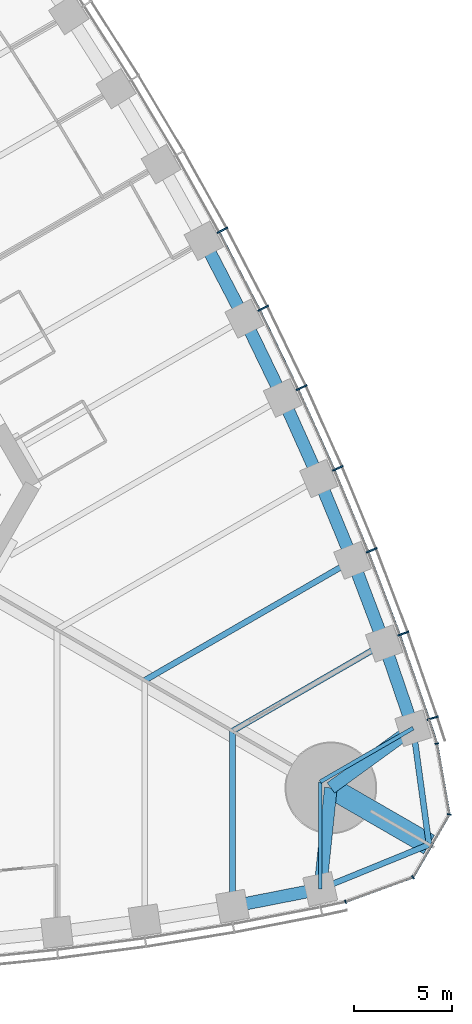
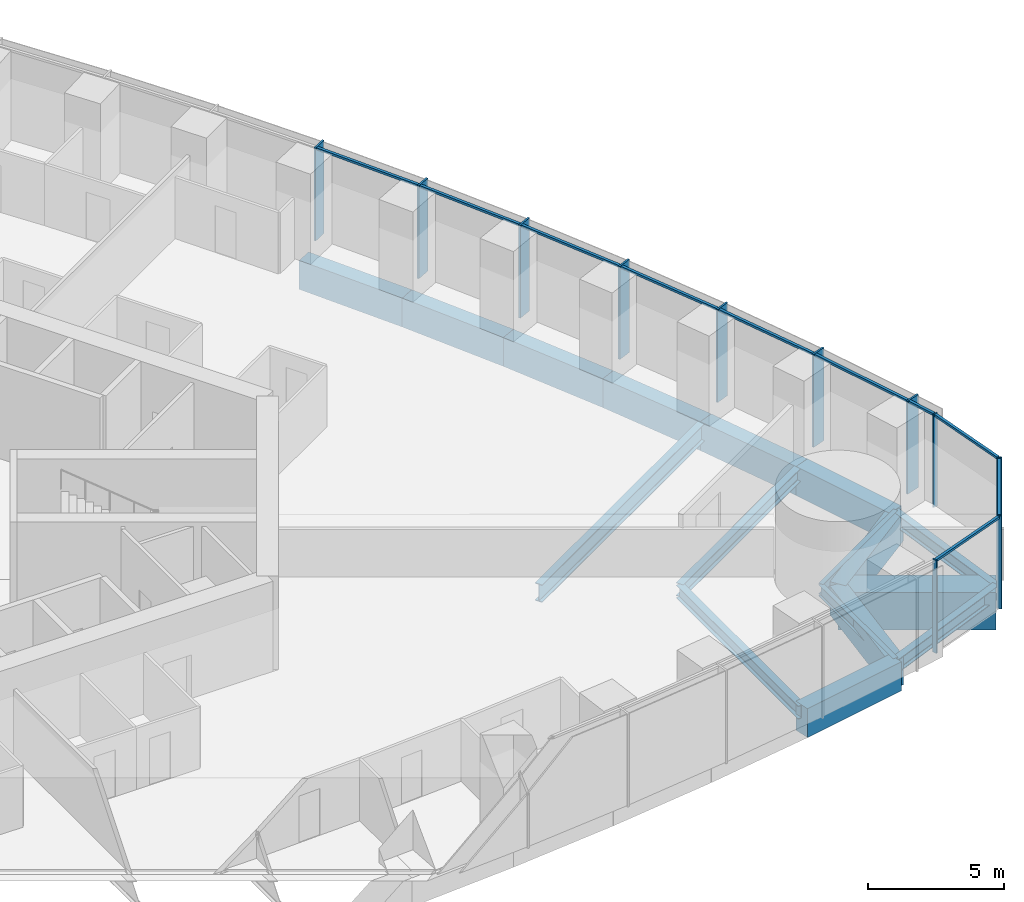
# One storey, part 6 of 18: 21 members, 17 beams, 2 elements without a shape of their own.
"""IFC4 building model written with IfcOpenShell, lengths in metres."""

from ifc_helpers import new_model, si_unit, direction, frame, origin, origin_2d, place, context, subcontext, project, spatial, rectangle, i_section, extrude, material, material_profile, profile_set, type_object, element, aggregate, save


model = new_model("IFC4")

# Units and contexts
model_context = context("Model", 3, precision=1e-05, world=origin(), true_north=direction((0.0, 1.0)))
body_context = subcontext(model_context, "Body", "Model", "MODEL_VIEW")
ifc_project = project(units=[si_unit("LENGTHUNIT", "METRE"), si_unit("AREAUNIT", "SQUARE_METRE"), si_unit("VOLUMEUNIT", "CUBIC_METRE"), si_unit("PLANEANGLEUNIT", "RADIAN"), si_unit("MASSUNIT", "GRAM", prefix="KILO")], contexts=[model_context])

# Site, building, storey
site_placement = place(None, origin())
site = spatial("IfcSite", under=ifc_project, at=site_placement, CompositionType="ELEMENT")
building_placement = place(site_placement, origin())
building = spatial("IfcBuilding", under=site, at=building_placement, Name="Trefoil Bronze Tower", CompositionType="ELEMENT")
storey_placement = place(building_placement, frame((0.0, 0.0, 37.5)))
storey = spatial("IfcBuildingStorey", under=building, at=storey_placement, Name="L08", CompositionType="ELEMENT", Elevation=37.5)

# Curtain wall, members
ifc_material_1 = material(Name="Tinted solar-control glass", Category="glass")
curtain_wall_type_1 = type_object("IfcCurtainWallType", Name="Bronze office curtain wall", PredefinedType="USERDEFINED", material=ifc_material_1)
curtain_wall_1_placement = place(storey_placement, origin())
curtain_wall_1 = element("IfcCurtainWall", 1, at=curtain_wall_1_placement, inside=storey, type_object=curtain_wall_type_1, Name="CW-A L08 F2", ObjectType="CURTAIN WALL", PredefinedType="USERDEFINED")
ifc_material_2 = material(Name="Bronze-finish aluminium", Category="aluminium")
ifc_material_profile_1 = material_profile(ifc_material_2, rectangle(XDim=0.60009765625, YDim=0.080078125, at=origin_2d()), Name="CW-A mullion")
ifc_profile_set_1 = profile_set([ifc_material_profile_1], Name="Bronze-finish aluminium")
member_type_1 = type_object("IfcMemberType", Name="Bronze office curtain wall mullion", PredefinedType="MULLION", material=ifc_profile_set_1)
member_1_placement = place(storey_placement, frame((37.265869140625, -14.92626953125, 0.0), z_axis=(0.0, 0.0, 1.0), x_axis=(-0.947850592929, -0.318715003543, 0.0)))
member_1 = element("IfcMember", 2, at=member_1_placement, type_object=member_type_1, Name="CW-A L08 F2 mullion 2", PredefinedType="MULLION", context=body_context, shape_type="SweptSolid", body=[
    extrude(rectangle(XDim=0.60009765625, YDim=0.080078125, at=origin_2d()), origin(), (0.0, 0.0, 1.0), 4.179931640625),
])
member_2_placement = place(storey_placement, frame((35.761962890625, -10.590087890625, 0.0), z_axis=(0.0, 0.0, 1.0), x_axis=(-0.939860248316, -0.341559238839, 0.0)))
member_2 = element("IfcMember", 3, at=member_2_placement, type_object=member_type_1, Name="CW-A L08 F2 mullion 3", PredefinedType="MULLION", context=body_context, shape_type="SweptSolid", body=[
    extrude(rectangle(XDim=0.60009765625, YDim=0.080078125, at=origin_2d()), origin(), (0.0, 0.0, 1.0), 4.179931640625),
])
member_3_placement = place(storey_placement, frame((34.138916015625, -6.32080078125, 0.0), z_axis=(0.0, 0.0, 1.0), x_axis=(-0.929413605838, -0.369039766534, 0.0)))
member_3 = element("IfcMember", 4, at=member_3_placement, type_object=member_type_1, Name="CW-A L08 F2 mullion 4", PredefinedType="MULLION", context=body_context, shape_type="SweptSolid", body=[
    extrude(rectangle(XDim=0.60009765625, YDim=0.080078125, at=origin_2d()), origin(), (0.0, 0.0, 1.0), 4.179931640625),
])
member_4_placement = place(storey_placement, frame((32.39892578125, -2.119384765625, 0.0), z_axis=(0.0, 0.0, 1.0), x_axis=(-0.918213748442, -0.396085233469, 0.0)))
member_4 = element("IfcMember", 5, at=member_4_placement, type_object=member_type_1, Name="CW-A L08 F2 mullion 5", PredefinedType="MULLION", context=body_context, shape_type="SweptSolid", body=[
    extrude(rectangle(XDim=0.60009765625, YDim=0.080078125, at=origin_2d()), origin(), (0.0, 0.0, 1.0), 4.179931640625),
])
member_5_placement = place(storey_placement, frame((30.543212890625, 2.015380859375, 0.0), z_axis=(0.0, 0.0, 1.0), x_axis=(-0.906269346572, -0.422700687798, 0.0)))
member_5 = element("IfcMember", 6, at=member_5_placement, type_object=member_type_1, Name="CW-A L08 F2 mullion 6", PredefinedType="MULLION", context=body_context, shape_type="SweptSolid", body=[
    extrude(rectangle(XDim=0.60009765625, YDim=0.080078125, at=origin_2d()), origin(), (0.0, 0.0, 1.0), 4.179931640625),
])
member_6_placement = place(storey_placement, frame((28.57275390625, 6.084228515625, 0.0), z_axis=(0.0, 0.0, 1.0), x_axis=(-0.893587025891, -0.448889994497, 0.0)))
member_6 = element("IfcMember", 7, at=member_6_placement, type_object=member_type_1, Name="CW-A L08 F2 mullion 7", PredefinedType="MULLION", context=body_context, shape_type="SweptSolid", body=[
    extrude(rectangle(XDim=0.60009765625, YDim=0.080078125, at=origin_2d()), origin(), (0.0, 0.0, 1.0), 4.179931640625),
])
member_7_placement = place(storey_placement, frame((26.488525390625, 10.0869140625, 0.0), z_axis=(0.0, 0.0, 1.0), x_axis=(-0.880171454588, -0.474655886437, 0.0)))
member_7 = element("IfcMember", 8, at=member_7_placement, type_object=member_type_1, Name="CW-A L08 F2 mullion 8", PredefinedType="MULLION", context=body_context, shape_type="SweptSolid", body=[
    extrude(rectangle(XDim=0.60009765625, YDim=0.080078125, at=origin_2d()), origin(), (0.0, 0.0, 1.0), 4.179931640625),
])
ifc_material_3 = material(Name="Bronze-finish aluminium", Category="aluminium")
ifc_material_profile_2 = material_profile(ifc_material_3, rectangle(XDim=0.1201171875, YDim=0.10009765625, at=origin_2d()), Name="CW-A transom")
ifc_profile_set_2 = profile_set([ifc_material_profile_2], Name="Bronze-finish aluminium")
member_type_2 = type_object("IfcMemberType", Name="Bronze office curtain wall transom", PredefinedType="USERDEFINED", material=ifc_profile_set_2)
member_8_placement = place(storey_placement, frame((37.4638671875, -16.1796875, 4.1298828125), z_axis=(-0.309624219148, 0.950859002648, 0.0), x_axis=(-0.950859002648, -0.309624219148, 0.0)))
member_8 = element("IfcMember", 9, at=member_8_placement, type_object=member_type_2, Name="CW-A L08 F2 transom 1", ObjectType="TRANSOM", PredefinedType="USERDEFINED", context=body_context, shape_type="SweptSolid", body=[
    extrude(rectangle(XDim=0.1201171875, YDim=0.10009765625, at=origin_2d()), origin(), (0.0, 0.0, 1.0), 1.21044921875),
])
member_9_placement = place(storey_placement, frame((37.06298828125, -14.951171875, 4.1298828125), z_axis=(-0.327689728493, 0.944785394595, 0.0), x_axis=(-0.944785394595, -0.327689728493, 0.0)))
member_9 = element("IfcMember", 10, at=member_9_placement, type_object=member_type_2, Name="CW-A L08 F2 transom 2", ObjectType="TRANSOM", PredefinedType="USERDEFINED", context=body_context, shape_type="SweptSolid", body=[
    extrude(rectangle(XDim=0.1201171875, YDim=0.10009765625, at=origin_2d()), origin(), (0.0, 0.0, 1.0), 4.502197265625),
])
member_10_placement = place(storey_placement, frame((35.559326171875, -10.61962890625, 4.1298828125), z_axis=(-0.355367327392, 0.934726731522, 0.0), x_axis=(-0.934726731522, -0.355367327392, 0.0)))
member_10 = element("IfcMember", 11, at=member_10_placement, type_object=member_type_2, Name="CW-A L08 F2 transom 3", ObjectType="TRANSOM", PredefinedType="USERDEFINED", context=body_context, shape_type="SweptSolid", body=[
    extrude(rectangle(XDim=0.1201171875, YDim=0.10009765625, at=origin_2d()), origin(), (0.0, 0.0, 1.0), 4.478515625),
])
member_11_placement = place(storey_placement, frame((33.937255859375, -6.3564453125, 4.1298828125), z_axis=(-0.382616149417, 0.923907399151, 0.0), x_axis=(-0.923907399151, -0.382616149417, 0.0)))
member_11 = element("IfcMember", 12, at=member_11_placement, type_object=member_type_2, Name="CW-A L08 F2 transom 4", ObjectType="TRANSOM", PredefinedType="USERDEFINED", context=body_context, shape_type="SweptSolid", body=[
    extrude(rectangle(XDim=0.1201171875, YDim=0.10009765625, at=origin_2d()), origin(), (0.0, 0.0, 1.0), 4.458984375),
])
member_12_placement = place(storey_placement, frame((32.1982421875, -2.16064453125, 4.1298828125), z_axis=(-0.409459746452, 0.912328184392, 0.0), x_axis=(-0.912328184392, -0.409459746452, 0.0)))
member_12 = element("IfcMember", 13, at=member_12_placement, type_object=member_type_2, Name="CW-A L08 F2 transom 5", ObjectType="TRANSOM", PredefinedType="USERDEFINED", context=body_context, shape_type="SweptSolid", body=[
    extrude(rectangle(XDim=0.1201171875, YDim=0.10009765625, at=origin_2d()), origin(), (0.0, 0.0, 1.0), 4.443359375),
])
member_13_placement = place(storey_placement, frame((30.34375, 1.96826171875, 4.1298828125), z_axis=(-0.435851763293, 0.900018466719, 0.0), x_axis=(-0.900018466719, -0.435851763293, 0.0)))
member_13 = element("IfcMember", 14, at=member_13_placement, type_object=member_type_2, Name="CW-A L08 F2 transom 6", ObjectType="TRANSOM", PredefinedType="USERDEFINED", context=body_context, shape_type="SweptSolid", body=[
    extrude(rectangle(XDim=0.1201171875, YDim=0.10009765625, at=origin_2d()), origin(), (0.0, 0.0, 1.0), 4.431884765625),
])
member_14_placement = place(storey_placement, frame((28.375, 6.031005859375, 4.1298828125), z_axis=(-0.461809621225, 0.886979071762, 0.0), x_axis=(-0.886979071762, -0.461809621225, 0.0)))
member_14 = element("IfcMember", 15, at=member_14_placement, type_object=member_type_2, Name="CW-A L08 F2 transom 7", ObjectType="TRANSOM", PredefinedType="USERDEFINED", context=body_context, shape_type="SweptSolid", body=[
    extrude(rectangle(XDim=0.1201171875, YDim=0.10009765625, at=origin_2d()), origin(), (0.0, 0.0, 1.0), 4.42431640625),
])
aggregate(curtain_wall_1, [member_1, member_2, member_3, member_4, member_5, member_6, member_7, member_8, member_9, member_10, member_11, member_12, member_13, member_14])

ifc_material_4 = material(Name="Tinted solar-control glass", Category="glass")
curtain_wall_type_2 = type_object("IfcCurtainWallType", Name="Bronze rounded corner curtain wall", PredefinedType="USERDEFINED", material=ifc_material_4)
curtain_wall_2_placement = place(storey_placement, origin())
curtain_wall_2 = element("IfcCurtainWall", 16, at=curtain_wall_2_placement, inside=storey, type_object=curtain_wall_type_2, Name="CW-B L08 K1", ObjectType="CURTAIN WALL", PredefinedType="USERDEFINED")
ifc_material_5 = material(Name="Bronze-finish aluminium", Category="aluminium")
ifc_material_profile_3 = material_profile(ifc_material_5, rectangle(XDim=0.199951171875, YDim=0.06005859375, at=origin_2d()), Name="CW-B mullion")
ifc_profile_set_3 = profile_set([ifc_material_profile_3], Name="Bronze-finish aluminium")
member_type_3 = type_object("IfcMemberType", Name="Bronze rounded corner curtain wall mullion", PredefinedType="MULLION", material=ifc_profile_set_3)
member_15_placement = place(storey_placement, frame((32.796630859375, -24.3427734375, 0.0), z_axis=(0.0, 0.0, 1.0), x_axis=(-0.342020143326, 0.939692620786, 0.0)))
member_15 = element("IfcMember", 17, at=member_15_placement, type_object=member_type_3, Name="CW-B L08 K1 mullion 1", PredefinedType="MULLION", context=body_context, shape_type="SweptSolid", body=[
    extrude(rectangle(XDim=0.199951171875, YDim=0.06005859375, at=origin_2d()), origin(), (0.0, 0.0, 1.0), 4.179931640625),
])
member_16_placement = place(storey_placement, frame((36.2548828125, -23.07763671875, 0.0), z_axis=(0.0, 0.0, 1.0), x_axis=(-0.642787609687, 0.766044443119, 0.0)))
member_16 = element("IfcMember", 18, at=member_16_placement, type_object=member_type_3, Name="CW-B L08 K1 mullion 2", PredefinedType="MULLION", context=body_context, shape_type="SweptSolid", body=[
    extrude(rectangle(XDim=0.199951171875, YDim=0.06005859375, at=origin_2d()), origin(), (0.0, 0.0, 1.0), 4.179931640625),
])
member_17_placement = place(storey_placement, frame((38.11328125, -19.85888671875, 0.0), z_axis=(0.0, 0.0, 1.0), x_axis=(-0.984807753012, 0.173648177667, 0.0)))
member_17 = element("IfcMember", 19, at=member_17_placement, type_object=member_type_3, Name="CW-B L08 K1 mullion 3", PredefinedType="MULLION", context=body_context, shape_type="SweptSolid", body=[
    extrude(rectangle(XDim=0.199951171875, YDim=0.06005859375, at=origin_2d()), origin(), (0.0, 0.0, 1.0), 4.179931640625),
])
member_18_placement = place(storey_placement, frame((37.479736328125, -16.2314453125, 0.0), z_axis=(0.0, 0.0, 1.0), x_axis=(-0.984807753012, -0.173648177667, 0.0)))
member_18 = element("IfcMember", 20, at=member_18_placement, type_object=member_type_3, Name="CW-B L08 K1 mullion 4", PredefinedType="MULLION", context=body_context, shape_type="SweptSolid", body=[
    extrude(rectangle(XDim=0.199951171875, YDim=0.06005859375, at=origin_2d()), origin(), (0.0, 0.0, 1.0), 4.179931640625),
])
ifc_material_6 = material(Name="Bronze-finish aluminium", Category="aluminium")
ifc_material_profile_4 = material_profile(ifc_material_6, rectangle(XDim=0.1201171875, YDim=0.10009765625, at=origin_2d()), Name="CW-B transom")
ifc_profile_set_4 = profile_set([ifc_material_profile_4], Name="Bronze-finish aluminium")
member_type_4 = type_object("IfcMemberType", Name="Bronze rounded corner curtain wall transom", PredefinedType="USERDEFINED", material=ifc_profile_set_4)
member_19_placement = place(storey_placement, frame((32.82470703125, -24.33251953125, 4.1298828125), z_axis=(0.939688092095, 0.342032585545, 0.0), x_axis=(-0.342032585545, 0.939688092095, 0.0)))
member_19 = element("IfcMember", 21, at=member_19_placement, type_object=member_type_4, Name="CW-B L08 K1 transom 1", ObjectType="TRANSOM", PredefinedType="USERDEFINED", context=body_context, shape_type="SweptSolid", body=[
    extrude(rectangle(XDim=0.1201171875, YDim=0.10009765625, at=origin_2d()), origin(), (0.0, 0.0, 1.0), 3.588134765625),
])
member_20_placement = place(storey_placement, frame((36.292236328125, -23.02490234375, 4.1298828125), z_axis=(0.500024788772, 0.866011091507, 0.0), x_axis=(-0.866011091507, 0.500024788772, 0.0)))
member_20 = element("IfcMember", 22, at=member_20_placement, type_object=member_type_4, Name="CW-B L08 K1 transom 2", ObjectType="TRANSOM", PredefinedType="USERDEFINED", context=body_context, shape_type="SweptSolid", body=[
    extrude(rectangle(XDim=0.1201171875, YDim=0.10009765625, at=origin_2d()), origin(), (0.0, 0.0, 1.0), 3.588134765625),
])
member_21_placement = place(storey_placement, frame((38.10791015625, -19.794677734375, 4.1298828125), z_axis=(-0.17363783606, 0.984809576461, 0.0), x_axis=(-0.984809576461, -0.17363783606, 0.0)))
member_21 = element("IfcMember", 23, at=member_21_placement, type_object=member_type_4, Name="CW-B L08 K1 transom 3", ObjectType="TRANSOM", PredefinedType="USERDEFINED", context=body_context, shape_type="SweptSolid", body=[
    extrude(rectangle(XDim=0.1201171875, YDim=0.10009765625, at=origin_2d()), origin(), (0.0, 0.0, 1.0), 3.588134765625),
])
aggregate(curtain_wall_2, [member_15, member_16, member_17, member_18, member_19, member_20, member_21])

# Beams
ifc_material_7 = material(Name="Concrete B80", Category="concrete")
ifc_material_profile_5 = material_profile(ifc_material_7, rectangle(XDim=1.10009765625, YDim=1.699951171875, at=origin_2d()), Name="RC 1100x1700")
ifc_profile_set_5 = profile_set([ifc_material_profile_5], Name="Concrete B80")
beam_type_1 = type_object("IfcBeamType", Name="Corner cantilever RC 1100x1700", PredefinedType="BEAM", material=ifc_profile_set_5)
beam_1_placement = place(storey_placement, frame((32.04296875, -18.5, -1.050048828125), z_axis=(0.866030348588, -0.499991435252, 0.0), x_axis=(0.499991435252, 0.866030348588, 0.0)))
element("IfcBeam", 24, at=beam_1_placement, inside=storey, type_object=beam_type_1, Name="Corner cantilever K1 L08", PredefinedType="BEAM", context=body_context, shape_type="SweptSolid", body=[
    extrude(rectangle(XDim=1.10009765625, YDim=1.699951171875, at=origin_2d()), origin(), (0.0, 0.0, 1.0), 5.81396484375),
])
ifc_material_8 = material(Name="Steel C355", Category="steel")
ifc_material_profile_6 = material_profile(ifc_material_8, i_section(OverallWidth=0.300048828125, OverallDepth=0.60009765625, WebThickness=0.015380859375, FlangeThickness=0.030029296875, FilletRadius=0.027099609375, at=origin_2d()), Name="HEB 600")
ifc_profile_set_6 = profile_set([ifc_material_profile_6], Name="Steel C355")
beam_type_2 = type_object("IfcBeamType", Name="Corner edge beam HEB 600", PredefinedType="BEAM", material=ifc_profile_set_6)
beam_2_placement = place(storey_placement, frame((31.5, -23.684814453125, -0.5), z_axis=(0.925786874353, 0.378045848114, 0.0), x_axis=(-0.378045848114, 0.925786874353, 0.0)))
element("IfcBeam", 25, at=beam_2_placement, inside=storey, type_object=beam_type_2, Name="Corner edge beam F1A L08", PredefinedType="BEAM", context=body_context, shape_type="SweptSolid", body=[
    extrude(i_section(OverallWidth=0.300048828125, OverallDepth=0.60009765625, WebThickness=0.015380859375, FlangeThickness=0.030029296875, FilletRadius=0.027099609375, at=origin_2d()), origin(), (0.0, 0.0, 1.0), 6.025390625),
])
beam_3_placement = place(storey_placement, frame((36.26171875, -15.4375, -0.5), z_axis=(0.13550196505, -0.990777077585, 0.0), x_axis=(0.990777077585, 0.13550196505, 0.0)))
element("IfcBeam", 26, at=beam_3_placement, inside=storey, type_object=beam_type_2, Name="Corner edge beam F2B L08", PredefinedType="BEAM", context=body_context, shape_type="SweptSolid", body=[
    extrude(i_section(OverallWidth=0.300048828125, OverallDepth=0.60009765625, WebThickness=0.015380859375, FlangeThickness=0.030029296875, FilletRadius=0.027099609375, at=origin_2d()), origin(), (0.0, 0.0, 1.0), 6.025146484375),
])
ifc_material_9 = material(Name="Concrete B80", Category="concrete")
ifc_material_profile_7 = material_profile(ifc_material_9, rectangle(XDim=0.64990234375, YDim=1.300048828125, at=origin_2d()), Name="RC 650x1300")
ifc_profile_set_7 = profile_set([ifc_material_profile_7], Name="Concrete B80")
beam_type_3 = type_object("IfcBeamType", Name="End spandrel beam RC 650x1300", PredefinedType="SPANDREL", material=ifc_profile_set_7)
for number, where, z_axis, x_axis, name in (
    (27, (31.5, -23.684814453125, -0.85009765625), (0.104153327908, 0.994561252154, 0.0), (-0.994561252154, 0.104153327908, 0.0), "Spandrel F1.16 L08"),
    (28, (32.04296875, -18.5, -0.85009765625), (0.809254211267, 0.587458612624, 0.0), (-0.587458612624, 0.809254211267, 0.0), "Spandrel F2.1 L08"),
):
    element("IfcBeam", number, at=place(storey_placement, frame(where, z_axis=z_axis, x_axis=x_axis)), inside=storey, type_object=beam_type_3, Name=name, PredefinedType="SPANDREL", context=body_context, shape_type="SweptSolid", body=[
        extrude(rectangle(XDim=0.64990234375, YDim=1.300048828125, at=origin_2d()), origin(), (0.0, 0.0, 1.0), 5.213134765625),
    ])
ifc_material_10 = material(Name="Steel C355", Category="steel")
ifc_material_profile_8 = material_profile(ifc_material_10, i_section(OverallWidth=0.300048828125, OverallDepth=0.590087890625, WebThickness=0.012939453125, FlangeThickness=0.02490234375, FilletRadius=0.027099609375, at=origin_2d()), Name="HEA 600")
ifc_profile_set_8 = profile_set([ifc_material_profile_8], Name="Steel C355")
beam_type_4 = type_object("IfcBeamType", Name="Floor beam HEA 600", PredefinedType="BEAM", material=ifc_profile_set_8)
for number, where, z_axis, x_axis, name in (
    (29, (27.0, -24.56787109375, -0.4951171875), (0.0, 1.0, 0.0), (-1.0, 0.0, 0.0), "Floor beam F1/+6 L08"),
    (30, (34.7763671875, -11.0986328125, -0.4951171875), (-0.866022587327, -0.500004878216, 0.0), (0.500004878216, -0.866022587327, 0.0), "Floor beam F2/-6 L08"),
):
    element("IfcBeam", number, at=place(storey_placement, frame(where, z_axis=z_axis, x_axis=x_axis)), inside=storey, type_object=beam_type_4, Name=name, PredefinedType="BEAM", context=body_context, shape_type="SweptSolid", body=[
        extrude(i_section(OverallWidth=0.300048828125, OverallDepth=0.590087890625, WebThickness=0.012939453125, FlangeThickness=0.02490234375, FilletRadius=0.027099609375, at=origin_2d()), origin(), (0.0, 0.0, 1.0), 8.9794921875),
    ])
ifc_material_11 = material(Name="Steel C355", Category="steel")
ifc_material_profile_9 = material_profile(ifc_material_11, i_section(OverallWidth=0.300048828125, OverallDepth=0.800048828125, WebThickness=0.017578125, FlangeThickness=0.032958984375, FilletRadius=0.030029296875, at=origin_2d()), Name="HEB 800")
ifc_profile_set_9 = profile_set([ifc_material_profile_9], Name="Steel C355")
beam_type_5 = type_object("IfcBeamType", Name="Floor beam HEB 800", PredefinedType="BEAM", material=ifc_profile_set_9)
beam_4_placement = place(storey_placement, frame((33.159912109375, -6.8359375, -0.60009765625), z_axis=(-0.866024070878, -0.500002308654, 0.0), x_axis=(0.500002308654, -0.866024070878, 0.0)))
element("IfcBeam", 31, at=beam_4_placement, inside=storey, type_object=beam_type_5, Name="Floor beam F2/-5 L08", PredefinedType="BEAM", context=body_context, shape_type="SweptSolid", body=[
    extrude(i_section(OverallWidth=0.300048828125, OverallDepth=0.800048828125, WebThickness=0.017578125, FlangeThickness=0.032958984375, FilletRadius=0.030029296875, at=origin_2d()), origin(), (0.0, 0.0, 1.0), 12.30908203125),
])
ifc_material_12 = material(Name="Steel C355", Category="steel")
ifc_material_profile_10 = material_profile(ifc_material_12, i_section(OverallWidth=0.199951171875, OverallDepth=0.5, WebThickness=0.01025390625, FlangeThickness=0.01611328125, FilletRadius=0.02099609375, at=origin_2d()), Name="IPE 500")
ifc_profile_set_10 = profile_set([ifc_material_profile_10], Name="Steel C355")
beam_type_6 = type_object("IfcBeamType", Name="Floor beam IPE 500", PredefinedType="BEAM", material=ifc_profile_set_10)
for number, where, z_axis, x_axis, name in (
    (32, (31.5, -23.684814453125, -0.449951171875), (0.0, 1.0, 0.0), (-1.0, 0.0, 0.0), "Floor beam F1/+7 L08"),
    (33, (36.26171875, -15.4375, -0.449951171875), (-0.866037702141, -0.499978698016, 0.0), (0.499978698016, -0.866037702141, 0.0), "Floor beam F2/-7 L08"),
):
    element("IfcBeam", number, at=place(storey_placement, frame(where, z_axis=z_axis, x_axis=x_axis)), inside=storey, type_object=beam_type_6, Name=name, PredefinedType="BEAM", context=body_context, shape_type="SweptSolid", body=[
        extrude(i_section(OverallWidth=0.199951171875, OverallDepth=0.5, WebThickness=0.01025390625, FlangeThickness=0.01611328125, FilletRadius=0.02099609375, at=origin_2d()), origin(), (0.0, 0.0, 1.0), 5.498291015625),
    ])
ifc_material_13 = material(Name="Concrete B80", Category="concrete")
ifc_material_profile_11 = material_profile(ifc_material_13, rectangle(XDim=0.64990234375, YDim=1.300048828125, at=origin_2d()), Name="RC 650x1300")
ifc_profile_set_11 = profile_set([ifc_material_profile_11], Name="Concrete B80")
beam_type_7 = type_object("IfcBeamType", Name="Spandrel beam RC 650x1300", PredefinedType="SPANDREL", material=ifc_profile_set_11)
beam_5_placement = place(storey_placement, frame((27.0, -24.56787109375, -0.85009765625), z_axis=(0.981284764092, 0.192562228283, 0.0), x_axis=(-0.192562228283, 0.981284764092, 0.0)))
element("IfcBeam", 34, at=beam_5_placement, inside=storey, type_object=beam_type_7, Name="Spandrel F1.15 L08", PredefinedType="SPANDREL", context=body_context, shape_type="SweptSolid", body=[
    extrude(rectangle(XDim=0.64990234375, YDim=1.300048828125, at=origin_2d()), origin(), (0.0, 0.0, 1.0), 4.5859375),
])
beam_6_placement = place(storey_placement, frame((36.26171875, -15.4375, -0.85009765625), z_axis=(-0.323883319148, 0.946097032855, 0.0), x_axis=(-0.946097032855, -0.323883319148, 0.0)))
element("IfcBeam", 35, at=beam_6_placement, inside=storey, type_object=beam_type_7, Name="Spandrel F2.2 L08", PredefinedType="SPANDREL", context=body_context, shape_type="SweptSolid", body=[
    extrude(rectangle(XDim=0.64990234375, YDim=1.300048828125, at=origin_2d()), origin(), (0.0, 0.0, 1.0), 4.586181640625),
])
beam_7_placement = place(storey_placement, frame((34.7763671875, -11.0986328125, -0.85009765625), z_axis=(-0.354571899767, 0.935028752443, 0.0), x_axis=(-0.935028752443, -0.354571899767, 0.0)))
element("IfcBeam", 36, at=beam_7_placement, inside=storey, type_object=beam_type_7, Name="Spandrel F2.3 L08", PredefinedType="SPANDREL", context=body_context, shape_type="SweptSolid", body=[
    extrude(rectangle(XDim=0.64990234375, YDim=1.300048828125, at=origin_2d()), origin(), (0.0, 0.0, 1.0), 4.558837890625),
])
beam_8_placement = place(storey_placement, frame((33.159912109375, -6.8359375, -0.85009765625), z_axis=(-0.382020825144, 0.924153715113, 0.0), x_axis=(-0.924153715113, -0.382020825144, 0.0)))
element("IfcBeam", 37, at=beam_8_placement, inside=storey, type_object=beam_type_7, Name="Spandrel F2.4 L08", PredefinedType="SPANDREL", context=body_context, shape_type="SweptSolid", body=[
    extrude(rectangle(XDim=0.64990234375, YDim=1.300048828125, at=origin_2d()), origin(), (0.0, 0.0, 1.0), 4.539306640625),
])
beam_9_placement = place(storey_placement, frame((31.42578125, -2.640869140625, -0.85009765625), z_axis=(-0.408945873044, 0.912558640812, 0.0), x_axis=(-0.912558640812, -0.408945873044, 0.0)))
element("IfcBeam", 38, at=beam_9_placement, inside=storey, type_object=beam_type_7, Name="Spandrel F2.5 L08", PredefinedType="SPANDREL", context=body_context, shape_type="SweptSolid", body=[
    extrude(rectangle(XDim=0.64990234375, YDim=1.300048828125, at=origin_2d()), origin(), (0.0, 0.0, 1.0), 4.5234375),
])
beam_10_placement = place(storey_placement, frame((29.575927734375, 1.487060546875, -0.85009765625), z_axis=(-0.435510013583, 0.900183885697, 0.0), x_axis=(-0.900183885697, -0.435510013583, 0.0)))
element("IfcBeam", 39, at=beam_10_placement, inside=storey, type_object=beam_type_7, Name="Spandrel F2.6 L08", PredefinedType="SPANDREL", context=body_context, shape_type="SweptSolid", body=[
    extrude(rectangle(XDim=0.64990234375, YDim=1.300048828125, at=origin_2d()), origin(), (0.0, 0.0, 1.0), 4.51220703125),
])
beam_11_placement = place(storey_placement, frame((27.61083984375, 5.548828125, -0.85009765625), z_axis=(-0.461637716615, 0.887068553495, 0.0), x_axis=(-0.887068553495, -0.461637716615, 0.0)))
element("IfcBeam", 40, at=beam_11_placement, inside=storey, type_object=beam_type_7, Name="Spandrel F2.7 L08", PredefinedType="SPANDREL", context=body_context, shape_type="SweptSolid", body=[
    extrude(rectangle(XDim=0.64990234375, YDim=1.300048828125, at=origin_2d()), origin(), (0.0, 0.0, 1.0), 4.50439453125),
])

save(model, "model.ifc")
